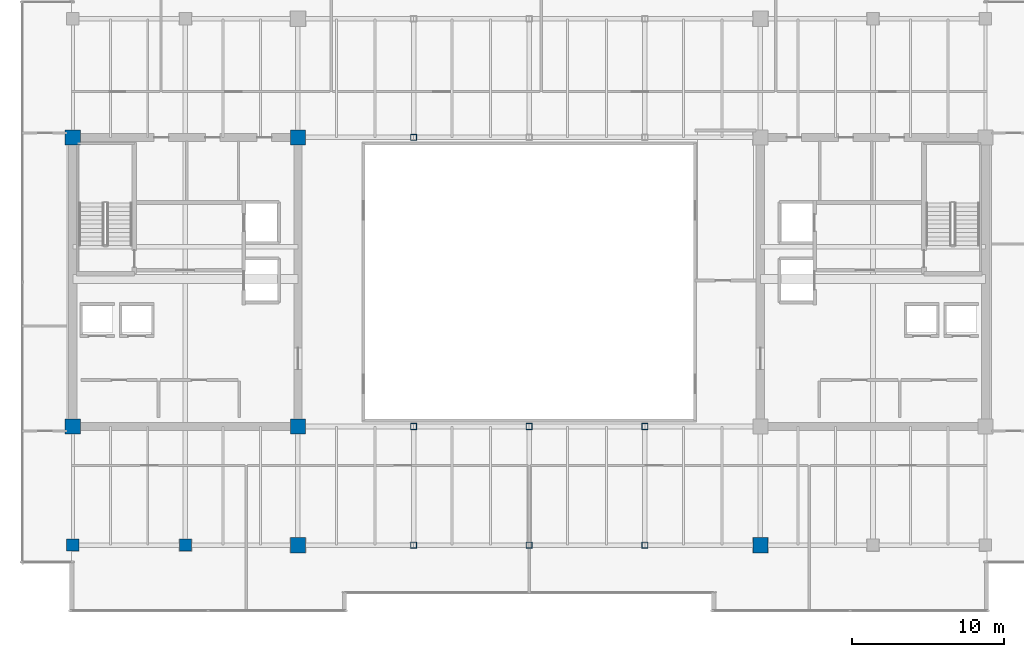
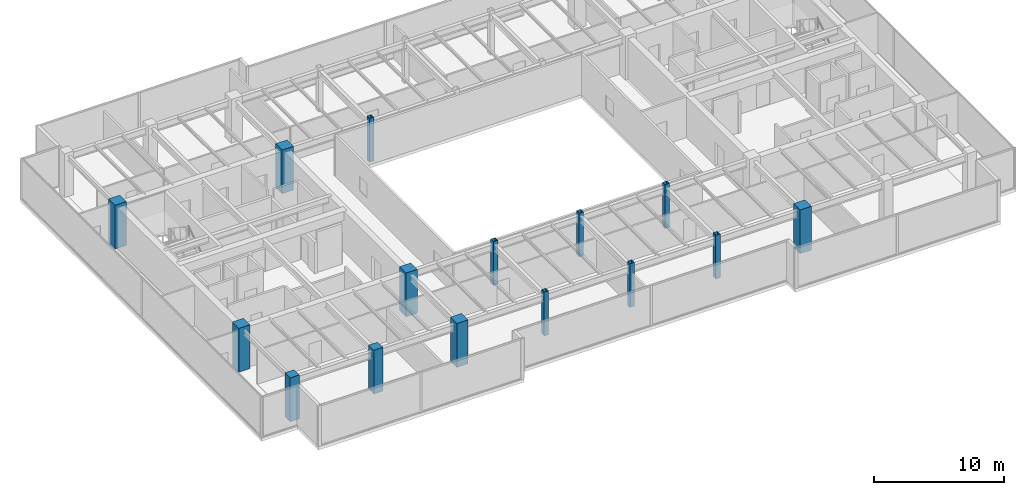
# One storey, part 1 of 36: 15 columns.
"""IFC4 building model written with IfcOpenShell, lengths in metres."""

from ifc_helpers import new_model, si_unit, direction, frame, origin, origin_2d, place, context, subcontext, project, spatial, rectangle, hollow_rectangle, extrude, source, transform, mapped, material, material_profile, profile_set, type_object, type_shapes, element, save


model = new_model("IFC4")

# Units and contexts
model_context = context("Model", 3, precision=1e-05, world=origin(), true_north=direction((0.0, 1.0)))
body_context = subcontext(model_context, "Body", "Model", "MODEL_VIEW")
ifc_project = project(units=[si_unit("LENGTHUNIT", "METRE"), si_unit("AREAUNIT", "SQUARE_METRE"), si_unit("VOLUMEUNIT", "CUBIC_METRE"), si_unit("PLANEANGLEUNIT", "RADIAN"), si_unit("MASSUNIT", "GRAM", prefix="KILO")], contexts=[model_context])

# Site, building, storey
site_placement = place(None, origin())
site = spatial("IfcSite", under=ifc_project, at=site_placement, CompositionType="ELEMENT")
building_placement = place(site_placement, origin())
building = spatial("IfcBuilding", under=site, at=building_placement, Name="Haelvirn Gate Laboratories", CompositionType="ELEMENT")
storey_placement = place(building_placement, frame((0.0, 0.0, 254.699951171875)))
storey = spatial("IfcBuildingStorey", under=building, at=storey_placement, Name="L61", CompositionType="ELEMENT", Elevation=254.699951171875)

# Columns
ifc_material_1 = material(Name="Concrete C60/75", Category="concrete")
ifc_material_profile_1 = material_profile(ifc_material_1, rectangle(XDim=1.0, YDim=1.0, at=origin_2d()), Name="RC-1000x1000")
ifc_profile_set_1 = profile_set([ifc_material_profile_1], Name="Concrete C60/75")
column_type_1 = type_object("IfcColumnType", Name="COL-RC-1000", PredefinedType="COLUMN", material=ifc_profile_set_1)
shared_shape_1 = source(origin(), body_context, "Body", "SweptSolid", [
    extrude(rectangle(XDim=1.0, YDim=1.0, at=origin_2d()), origin(), (0.0, 0.0, 1.0), 4.10009765625),
])
type_shapes(column_type_1, [shared_shape_1])
for number, where, z_axis, x_axis, name in (
    (1, (22.199951171875, 7.0, 0.0), (0.0, 0.0, 1.0), (1.0, 0.0, 0.0), "L61 Column 4B"),
    (2, (7.39990234375, 14.800048828125, 0.0), (0.0, 0.0, 1.0), (1.0, 0.0, 0.0), "L61 Column 2C"),
    (3, (22.199951171875, 14.800048828125, 0.0), (0.0, 0.0, 1.0), (1.0, 0.0, 0.0), "L61 Column 4C"),
    (4, (7.39990234375, 33.800048828125, 0.0), (0.0, 0.0, 1.0), (1.0, 0.0, 0.0), "L61 Column 2F"),
    (5, (22.199951171875, 33.800048828125, 0.0), (0.0, 0.0, 1.0), (1.0, 0.0, 0.0), "L61 Column 4F"),
    (6, (52.60009765625, 7.0, 0.0), (0.0, 0.0, 1.0), (1.0, 0.0, 0.0), "L61 Column 8B"),
):
    element("IfcColumn", number, at=place(storey_placement, frame(where, z_axis=z_axis, x_axis=x_axis)), inside=storey, type_object=column_type_1, Name=name, PredefinedType="COLUMN", context=body_context, shape_type="MappedRepresentation", body=[
        mapped(shared_shape_1, transform((0.0, 0.0, 0.0), scale=1.0)),
    ])
ifc_material_2 = material(Name="Concrete C50/60", Category="concrete")
ifc_material_profile_2 = material_profile(ifc_material_2, rectangle(XDim=0.800048828125, YDim=0.800048828125, at=origin_2d()), Name="RC-800x800")
ifc_profile_set_2 = profile_set([ifc_material_profile_2], Name="Concrete C50/60")
column_type_2 = type_object("IfcColumnType", Name="COL-RC-800", PredefinedType="COLUMN", material=ifc_profile_set_2)
shared_shape_2 = source(origin(), body_context, "Body", "SweptSolid", [
    extrude(rectangle(XDim=0.800048828125, YDim=0.800048828125, at=origin_2d()), origin(), (0.0, 0.0, 1.0), 4.10009765625),
])
type_shapes(column_type_2, [shared_shape_2])
for number, where, z_axis, x_axis, name in (
    (7, (14.800048828125, 7.0, 0.0), (0.0, 0.0, 1.0), (1.0, 0.0, 0.0), "L61 Column 3B"),
    (8, (7.39990234375, 7.0, 0.0), (0.0, 0.0, 1.0), (1.0, 0.0, 0.0), "L61 Column 2B"),
):
    element("IfcColumn", number, at=place(storey_placement, frame(where, z_axis=z_axis, x_axis=x_axis)), inside=storey, type_object=column_type_2, Name=name, PredefinedType="COLUMN", context=body_context, shape_type="MappedRepresentation", body=[
        mapped(shared_shape_2, transform((0.0, 0.0, 0.0), scale=1.0)),
    ])
ifc_material_3 = material(Name="Steel SM355", Category="steel")
ifc_material_profile_3 = material_profile(ifc_material_3, hollow_rectangle(XDim=0.39990234375, YDim=0.39990234375, WallThickness=0.01904296875, at=origin_2d()), Name="BOX-400x400x19")
ifc_profile_set_3 = profile_set([ifc_material_profile_3], Name="Steel SM355")
column_type_3 = type_object("IfcColumnType", Name="COL-BOX-400", PredefinedType="COLUMN", material=ifc_profile_set_3)
shared_shape_3 = source(origin(), body_context, "Body", "SweptSolid", [
    extrude(hollow_rectangle(XDim=0.39990234375, YDim=0.39990234375, WallThickness=0.01904296875, at=origin_2d()), origin(), (0.0, 0.0, 1.0), 4.10009765625),
])
type_shapes(column_type_3, [shared_shape_3])
for number, where, z_axis, x_axis, name in (
    (9, (29.800048828125, 7.0, 0.0), (0.0, 0.0, 1.0), (1.0, 0.0, 0.0), "L61 Column 5B"),
    (10, (29.800048828125, 14.800048828125, 0.0), (0.0, 0.0, 1.0), (1.0, 0.0, 0.0), "L61 Column 5C"),
    (11, (29.800048828125, 33.800048828125, 0.0), (0.0, 0.0, 1.0), (1.0, 0.0, 0.0), "L61 Column 5F"),
    (12, (37.39990234375, 7.0, 0.0), (0.0, 0.0, 1.0), (1.0, 0.0, 0.0), "L61 Column 6B"),
    (13, (37.39990234375, 14.800048828125, 0.0), (0.0, 0.0, 1.0), (1.0, 0.0, 0.0), "L61 Column 6C"),
    (14, (45.0, 7.0, 0.0), (0.0, 0.0, 1.0), (1.0, 0.0, 0.0), "L61 Column 7B"),
    (15, (45.0, 14.800048828125, 0.0), (0.0, 0.0, 1.0), (1.0, 0.0, 0.0), "L61 Column 7C"),
):
    element("IfcColumn", number, at=place(storey_placement, frame(where, z_axis=z_axis, x_axis=x_axis)), inside=storey, type_object=column_type_3, Name=name, PredefinedType="COLUMN", context=body_context, shape_type="MappedRepresentation", body=[
        mapped(shared_shape_3, transform((0.0, 0.0, 0.0), scale=1.0)),
    ])

save(model, "model.ifc")
